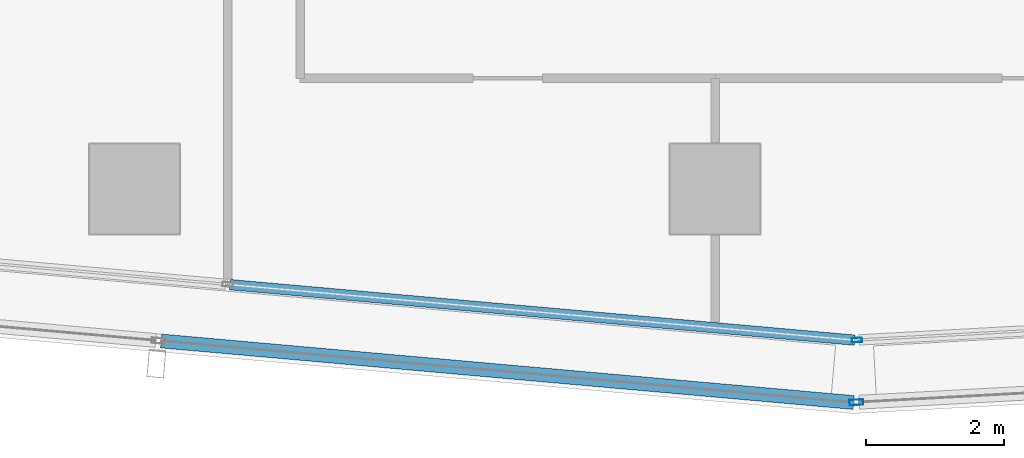
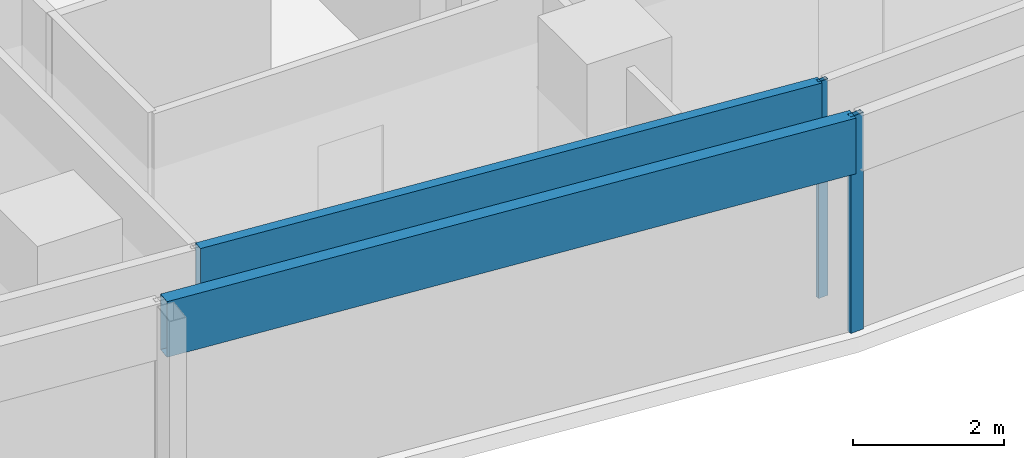
# One storey, part 5 of 26: 4 members, 4 elements without a shape of their own.
"""IFC4 building model written with IfcOpenShell, lengths in metres."""

from ifc_helpers import new_model, si_unit, direction, frame, origin, origin_2d, place, context, subcontext, project, spatial, hollow_rectangle, extrude, material, material_profile, profile_set, type_object, element, aggregate, save


model = new_model("IFC4")

# Units and contexts
model_context = context("Model", 3, precision=1e-05, world=origin(), true_north=direction((0.0, 1.0)))
body_context = subcontext(model_context, "Body", "Model", "MODEL_VIEW")
ifc_project = project(units=[si_unit("LENGTHUNIT", "METRE"), si_unit("AREAUNIT", "SQUARE_METRE"), si_unit("VOLUMEUNIT", "CUBIC_METRE"), si_unit("PLANEANGLEUNIT", "RADIAN"), si_unit("MASSUNIT", "GRAM", prefix="KILO")], contexts=[model_context])

# Site, building, storey
site_placement = place(None, origin())
site = spatial("IfcSite", under=ifc_project, at=site_placement, CompositionType="ELEMENT")
building_placement = place(site_placement, origin())
building = spatial("IfcBuilding", under=site, at=building_placement, Name="Rekha Terrace Tower", CompositionType="ELEMENT")
storey_placement = place(building_placement, frame((0.0, 0.0, 283.85009765625)))
storey = spatial("IfcBuildingStorey", under=building, at=storey_placement, Name="L72", CompositionType="ELEMENT", Elevation=283.85009765625)

# Curtain wall, member
ifc_material_1 = material(Name="Aluminium framing", Category="aluminium")
curtain_wall_type_1 = type_object("IfcCurtainWallType", Name="CW1 double skin inner glazing", PredefinedType="USERDEFINED", material=ifc_material_1)
curtain_wall_1_placement = place(storey_placement, origin())
curtain_wall_1 = element("IfcCurtainWall", 1, at=curtain_wall_1_placement, inside=storey, type_object=curtain_wall_type_1, Name="CW1 double skin inner glazing", ObjectType="DOUBLE SKIN INNER GLAZING", PredefinedType="USERDEFINED")
ifc_material_2 = material(Name="Aluminium mullion section", Category="aluminium")
ifc_material_profile_1 = material_profile(ifc_material_2, hollow_rectangle(XDim=0.06494140625, YDim=0.14990234375, WallThickness=0.00390625, at=origin_2d()), Name="AL RHS 65x150")
ifc_profile_set_1 = profile_set([ifc_material_profile_1], Name="Aluminium mullion section")
member_type_1 = type_object("IfcMemberType", Name="CW1 mullion RHS 65 x 150", PredefinedType="MULLION", material=ifc_profile_set_1)
member_1_placement = place(storey_placement, frame((27.254638671875, 14.6142578125, 0.0), z_axis=(0.0, 0.0, 1.0), x_axis=(-0.054388903036, 0.998519828159, 0.0)))
member_1 = element("IfcMember", 2, at=member_1_placement, type_object=member_type_1, Name="CW1 mullion 1", PredefinedType="MULLION", context=body_context, shape_type="SweptSolid", body=[
    extrude(hollow_rectangle(XDim=0.06494140625, YDim=0.14990234375, WallThickness=0.00390625, at=origin_2d()), origin(), (0.0, 0.0, 1.0), 3.5),
])
aggregate(curtain_wall_1, [member_1])

curtain_wall_2_placement = place(storey_placement, origin())
curtain_wall_2 = element("IfcCurtainWall", 3, at=curtain_wall_2_placement, inside=storey, type_object=curtain_wall_type_1, Name="CW1 double skin inner glazing", ObjectType="DOUBLE SKIN INNER GLAZING", PredefinedType="USERDEFINED")
ifc_material_3 = material(Name="Insulated aluminium spandrel box", Category="aluminium")
ifc_material_profile_2 = material_profile(ifc_material_3, hollow_rectangle(XDim=0.14990234375, YDim=0.89990234375, WallThickness=0.0029296875, at=origin_2d()), Name="AL SPANDREL BOX 150x900")
ifc_profile_set_2 = profile_set([ifc_material_profile_2], Name="Insulated aluminium spandrel box")
member_type_2 = type_object("IfcMemberType", Name="CW1 spandrel transom 150 x 900", PredefinedType="USERDEFINED", material=ifc_profile_set_2)
member_2_placement = place(storey_placement, frame((18.181884765625, 15.416015625, 3.0498046875), z_axis=(0.996073747712, -0.088527335432, 0.0), x_axis=(0.088527335432, 0.996073747712, 0.0)))
member_2 = element("IfcMember", 4, at=member_2_placement, type_object=member_type_2, Name="CW1 spandrel transom 2", ObjectType="TRANSOM", PredefinedType="USERDEFINED", context=body_context, shape_type="SweptSolid", body=[
    extrude(hollow_rectangle(XDim=0.14990234375, YDim=0.89990234375, WallThickness=0.0029296875, at=origin_2d()), origin(), (0.0, 0.0, 1.0), 9.075927734375),
])
aggregate(curtain_wall_2, [member_2])

curtain_wall_type_2 = type_object("IfcCurtainWallType", Name="CW2 double skin outer glazing", PredefinedType="USERDEFINED", material=ifc_material_1)
curtain_wall_3_placement = place(storey_placement, origin())
curtain_wall_3 = element("IfcCurtainWall", 5, at=curtain_wall_3_placement, inside=storey, type_object=curtain_wall_type_2, Name="CW2 double skin outer glazing", ObjectType="DOUBLE SKIN OUTER GLAZING", PredefinedType="USERDEFINED")
ifc_material_profile_3 = material_profile(ifc_material_2, hollow_rectangle(XDim=0.080078125, YDim=0.199951171875, WallThickness=0.00390625, at=origin_2d()), Name="AL RHS 80x200")
ifc_profile_set_3 = profile_set([ifc_material_profile_3], Name="Aluminium mullion section")
member_type_3 = type_object("IfcMemberType", Name="CW2 mullion RHS 80 x 200", PredefinedType="MULLION", material=ifc_profile_set_3)
member_3_placement = place(storey_placement, frame((27.24658203125, 13.712646484375, 0.0), z_axis=(0.0, 0.0, 1.0), x_axis=(-0.054388903071, 0.998519828157, 0.0)))
member_3 = element("IfcMember", 6, at=member_3_placement, type_object=member_type_3, Name="CW2 mullion 1", PredefinedType="MULLION", context=body_context, shape_type="SweptSolid", body=[
    extrude(hollow_rectangle(XDim=0.080078125, YDim=0.199951171875, WallThickness=0.00390625, at=origin_2d()), origin(), (0.0, 0.0, 1.0), 3.5),
])
aggregate(curtain_wall_3, [member_3])

curtain_wall_4_placement = place(storey_placement, origin())
curtain_wall_4 = element("IfcCurtainWall", 7, at=curtain_wall_4_placement, inside=storey, type_object=curtain_wall_type_2, Name="CW2 double skin outer glazing", ObjectType="DOUBLE SKIN OUTER GLAZING", PredefinedType="USERDEFINED")
ifc_material_profile_4 = material_profile(ifc_material_3, hollow_rectangle(XDim=0.199951171875, YDim=0.89990234375, WallThickness=0.0029296875, at=origin_2d()), Name="AL SPANDREL BOX 200x900")
ifc_profile_set_4 = profile_set([ifc_material_profile_4], Name="Insulated aluminium spandrel box")
member_type_4 = type_object("IfcMemberType", Name="CW2 spandrel transom 200 x 900", PredefinedType="USERDEFINED", material=ifc_profile_set_4)
member_4_placement = place(storey_placement, frame((17.188232421875, 14.600830078125, 3.0498046875), z_axis=(0.996074020135, -0.088524270188, 0.0), x_axis=(0.088524270188, 0.996074020135, 0.0)))
member_4 = element("IfcMember", 8, at=member_4_placement, type_object=member_type_4, Name="CW2 spandrel transom 2", ObjectType="TRANSOM", PredefinedType="USERDEFINED", context=body_context, shape_type="SweptSolid", body=[
    extrude(hollow_rectangle(XDim=0.199951171875, YDim=0.89990234375, WallThickness=0.0029296875, at=origin_2d()), origin(), (0.0, 0.0, 1.0), 10.05810546875),
])
aggregate(curtain_wall_4, [member_4])

save(model, "model.ifc")
